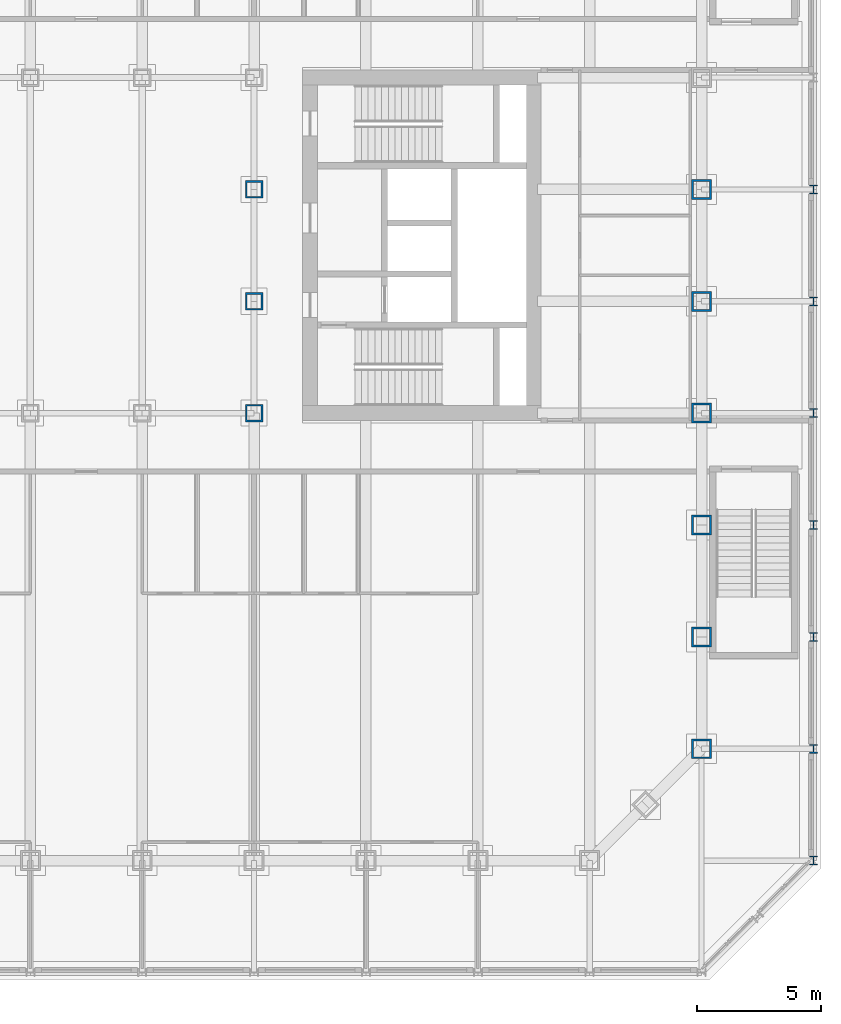
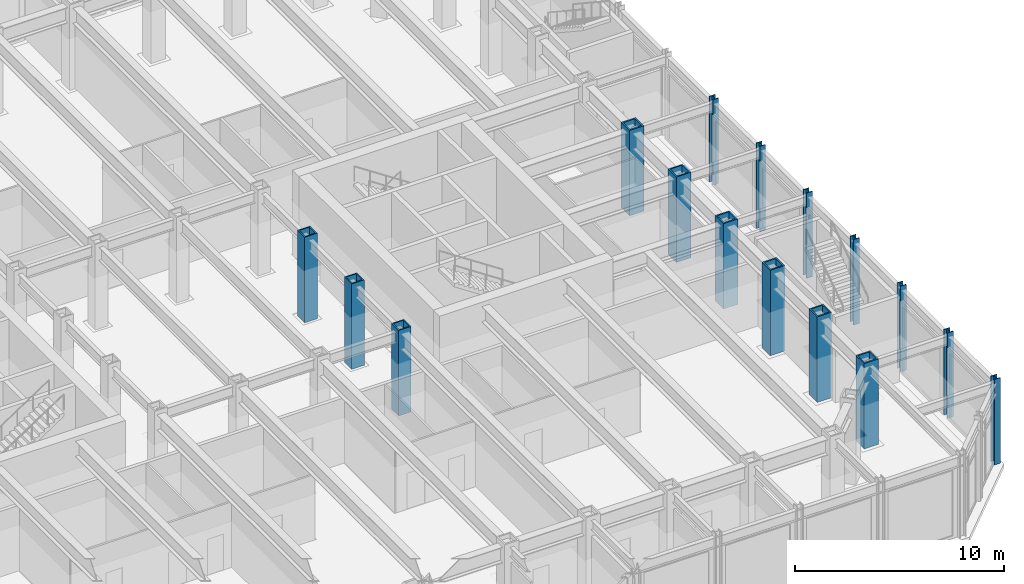
# One storey, part 2 of 19: 16 columns.
"""IFC4 building model written with IfcOpenShell, lengths in metres."""

from ifc_helpers import new_model, si_unit, direction, frame, origin, origin_2d, place, context, subcontext, project, spatial, hollow_rectangle, i_section, extrude, material, material_profile, profile_set, type_object, element, save


model = new_model("IFC4")

# Units and contexts
model_context = context("Model", 3, precision=1e-05, world=origin(), true_north=direction((0.0, 1.0)))
body_context = subcontext(model_context, "Body", "Model", "MODEL_VIEW")
ifc_project = project(units=[si_unit("LENGTHUNIT", "METRE"), si_unit("AREAUNIT", "SQUARE_METRE"), si_unit("VOLUMEUNIT", "CUBIC_METRE"), si_unit("PLANEANGLEUNIT", "RADIAN"), si_unit("MASSUNIT", "GRAM", prefix="KILO")], contexts=[model_context])

# Site, building, storey
site_placement = place(None, origin())
site = spatial("IfcSite", under=ifc_project, at=site_placement, CompositionType="ELEMENT")
building_placement = place(site_placement, origin())
building = spatial("IfcBuilding", under=site, at=building_placement, Name="Msasa Ring Tower", CompositionType="ELEMENT")
storey_placement = place(building_placement, frame((0.0, 0.0, 6.0)))
storey = spatial("IfcBuildingStorey", under=building, at=storey_placement, Name="L01", CompositionType="ELEMENT", Elevation=6.0)

# Columns
ifc_material_1 = material(Name="Steel S355", Category="steel")
ifc_material_profile_1 = material_profile(ifc_material_1, hollow_rectangle(XDim=0.699951171875, YDim=0.699951171875, WallThickness=0.070068359375, at=origin_2d()), Name="BOX 700x700x70")
ifc_profile_set_1 = profile_set([ifc_material_profile_1], Name="Steel S355")
column_type_1 = type_object("IfcColumnType", Name="IC1 BOX 700x700x70", PredefinedType="COLUMN", material=ifc_profile_set_1)
for number, where, z_axis, x_axis, name in (
    (1, (6.75, -6.75, 0.0), (0.0, 0.0, 1.0), (1.0, 0.0, 0.0), "Inner ring column IR+6.75-6.75 L01"),
    (2, (6.75, -2.25, 0.0), (0.0, 0.0, 1.0), (1.0, 0.0, 0.0), "Inner ring column IR+6.75-2.25 L01"),
    (3, (6.75, 2.25, 0.0), (0.0, 0.0, 1.0), (1.0, 0.0, 0.0), "Inner ring column IR+6.75+2.25 L01"),
):
    element("IfcColumn", number, at=place(storey_placement, frame(where, z_axis=z_axis, x_axis=x_axis)), inside=storey, type_object=column_type_1, Name=name, PredefinedType="COLUMN", context=body_context, shape_type="SweptSolid", body=[
        extrude(hollow_rectangle(XDim=0.699951171875, YDim=0.699951171875, WallThickness=0.070068359375, at=origin_2d()), origin(), (0.0, 0.0, 1.0), 5.0),
    ])
ifc_material_2 = material(Name="Steel S355", Category="steel")
ifc_material_profile_2 = material_profile(ifc_material_2, i_section(OverallWidth=0.322265625, OverallDepth=0.365234375, WebThickness=0.02685546875, FlangeThickness=0.044189453125, FilletRadius=0.01513671875, at=origin_2d()), Name="UC 305x305x283")
ifc_profile_set_2 = profile_set([ifc_material_profile_2], Name="Steel S355")
column_type_2 = type_object("IfcColumnType", Name="PC1 UC 305x305x283", PredefinedType="COLUMN", material=ifc_profile_set_2)
for number, where, z_axis, x_axis, name in (
    (4, (29.25, -24.75, 0.0), (0.0, 0.0, 1.0), (1.0, 0.0, 0.0), "Podium column E-24.75 L01"),
    (5, (29.25, -20.25, 0.0), (0.0, 0.0, 1.0), (1.0, 0.0, 0.0), "Podium column E-20.25 L01"),
    (6, (29.25, -15.75, 0.0), (0.0, 0.0, 1.0), (1.0, 0.0, 0.0), "Podium column E-15.75 L01"),
    (7, (29.25, -11.25, 0.0), (0.0, 0.0, 1.0), (1.0, 0.0, 0.0), "Podium column E-11.25 L01"),
    (8, (29.25, -6.75, 0.0), (0.0, 0.0, 1.0), (1.0, 0.0, 0.0), "Podium column E-6.75 L01"),
    (9, (29.25, -2.25, 0.0), (0.0, 0.0, 1.0), (1.0, 0.0, 0.0), "Podium column E-2.25 L01"),
    (10, (29.25, 2.25, 0.0), (0.0, 0.0, 1.0), (1.0, 0.0, 0.0), "Podium column E+2.25 L01"),
):
    element("IfcColumn", number, at=place(storey_placement, frame(where, z_axis=z_axis, x_axis=x_axis)), inside=storey, type_object=column_type_2, Name=name, PredefinedType="COLUMN", context=body_context, shape_type="SweptSolid", body=[
        extrude(i_section(OverallWidth=0.322265625, OverallDepth=0.365234375, WebThickness=0.02685546875, FlangeThickness=0.044189453125, FilletRadius=0.01513671875, at=origin_2d()), origin(), (0.0, 0.0, 1.0), 5.0),
    ])
ifc_material_3 = material(Name="Steel S355", Category="steel")
ifc_material_profile_3 = material_profile(ifc_material_3, hollow_rectangle(XDim=0.800048828125, YDim=0.800048828125, WallThickness=0.080078125, at=origin_2d()), Name="BOX 800x800x80")
ifc_profile_set_3 = profile_set([ifc_material_profile_3], Name="Steel S355")
column_type_3 = type_object("IfcColumnType", Name="TC1 BOX 800x800x80", PredefinedType="COLUMN", material=ifc_profile_set_3)
for number, where, z_axis, x_axis, name in (
    (11, (24.75, -20.25, 0.0), (0.0, 0.0, 1.0), (1.0, 0.0, 0.0), "Tube column E-20.25 L01"),
    (12, (24.75, -15.75, 0.0), (0.0, 0.0, 1.0), (1.0, 0.0, 0.0), "Tube column E-15.75 L01"),
    (13, (24.75, -11.25, 0.0), (0.0, 0.0, 1.0), (1.0, 0.0, 0.0), "Tube column E-11.25 L01"),
    (14, (24.75, -6.75, 0.0), (0.0, 0.0, 1.0), (1.0, 0.0, 0.0), "Tube column E-6.75 L01"),
    (15, (24.75, -2.25, 0.0), (0.0, 0.0, 1.0), (1.0, 0.0, 0.0), "Tube column E-2.25 L01"),
    (16, (24.75, 2.25, 0.0), (0.0, 0.0, 1.0), (1.0, 0.0, 0.0), "Tube column E+2.25 L01"),
):
    element("IfcColumn", number, at=place(storey_placement, frame(where, z_axis=z_axis, x_axis=x_axis)), inside=storey, type_object=column_type_3, Name=name, PredefinedType="COLUMN", context=body_context, shape_type="SweptSolid", body=[
        extrude(hollow_rectangle(XDim=0.800048828125, YDim=0.800048828125, WallThickness=0.080078125, at=origin_2d()), origin(), (0.0, 0.0, 1.0), 5.0),
    ])

save(model, "model.ifc")
